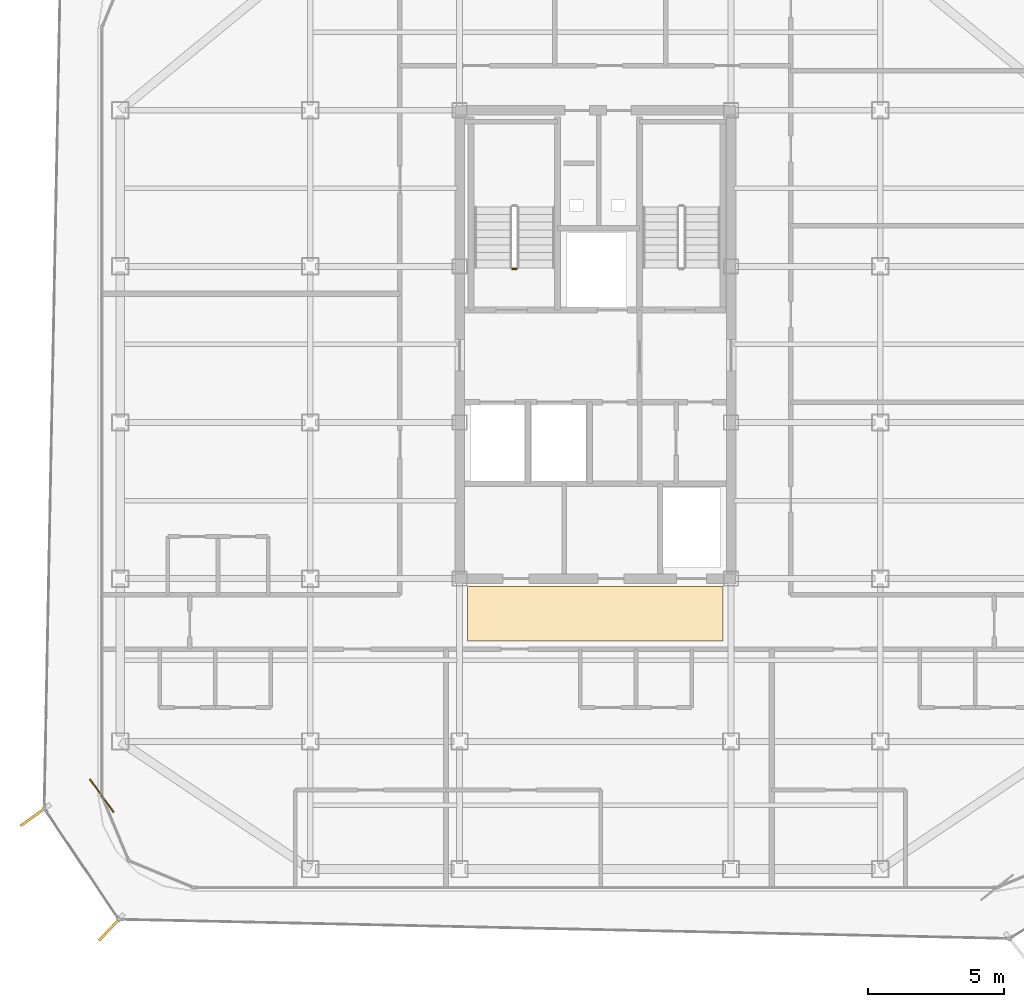
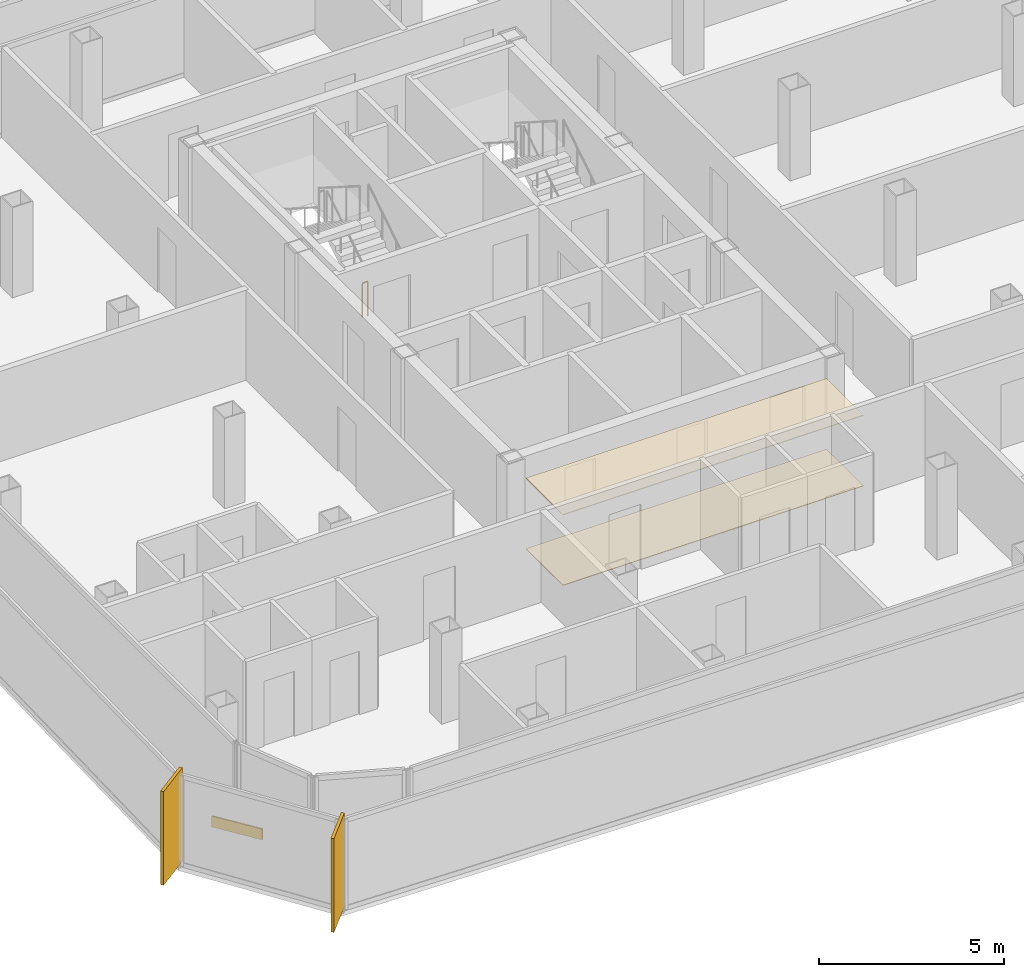
# One storey, part 13 of 15: 3 coverings, 2 shading devices, 1 railing.
"""IFC4 building model written with IfcOpenShell, lengths in metres."""

from ifc_helpers import new_model, si_unit, direction, frame, origin, origin_2d, place, context, subcontext, project, spatial, polyline, rectangle, circle, outline, extrude, source, transform, mapped, material, layer, layer_set, type_object, element, save


model = new_model("IFC4")

# Units and contexts
model_context = context("Model", 3, precision=1e-05, world=origin(), true_north=direction((0.0, 1.0)))
body_context = subcontext(model_context, "Body", "Model", "MODEL_VIEW")
ifc_project = project(units=[si_unit("LENGTHUNIT", "METRE"), si_unit("AREAUNIT", "SQUARE_METRE"), si_unit("VOLUMEUNIT", "CUBIC_METRE"), si_unit("PLANEANGLEUNIT", "RADIAN"), si_unit("MASSUNIT", "GRAM", prefix="KILO")], contexts=[model_context])

# Site, building, storey
site_placement = place(None, origin())
site = spatial("IfcSite", under=ifc_project, at=site_placement, CompositionType="ELEMENT")
building_placement = place(site_placement, origin())
building = spatial("IfcBuilding", under=site, at=building_placement, Name="Kolveth Station Tower", CompositionType="ELEMENT")
storey_placement = place(building_placement, frame((0.0, 0.0, 223.300048828125)))
storey = spatial("IfcBuildingStorey", under=building, at=storey_placement, Name="L63", CompositionType="ELEMENT", Elevation=223.300048828125)

# Coverings
ifc_material_1 = material(Name="Acoustic mineral-fibre ceiling tile")
ifc_layer_1 = layer(ifc_material_1, 0.02490234375)
ifc_layer_set_1 = layer_set([ifc_layer_1], Name="Acoustic mineral-fibre ceiling tile")
covering_type_1 = type_object("IfcCoveringType", Name="Ceil_CL1", PredefinedType="CEILING", material=ifc_layer_set_1)
covering_1_placement = place(storey_placement, frame((0.0, 0.0, 2.329833984375)))
element("IfcCovering", 1, at=covering_1_placement, inside=storey, type_object=covering_type_1, Name="L63 Lift Lobby Suspended Ceiling", PredefinedType="CEILING", context=body_context, shape_type="SweptSolid", body=[
    extrude(outline(polyline([(18.800048828125, 9.199951171875), (28.199951171875, 9.199951171875), (28.199951171875, 11.199951171875), (18.800048828125, 11.199951171875), (18.800048828125, 9.199951171875)])), origin(), (0.0, 0.0, 1.0), 0.025146484375),
])
ifc_material_2 = material(Name="Honed terrazzo flooring")
ifc_layer_2 = layer(ifc_material_2, 0.02001953125)
ifc_layer_set_2 = layer_set([ifc_layer_2], Name="Honed terrazzo flooring")
covering_type_2 = type_object("IfcCoveringType", Name="Floor_FL1", PredefinedType="FLOORING", material=ifc_layer_set_2)
covering_2_placement = place(storey_placement, origin())
element("IfcCovering", 2, at=covering_2_placement, inside=storey, type_object=covering_type_2, Name="L63 Lift Lobby Floor Finish", PredefinedType="FLOORING", context=body_context, shape_type="SweptSolid", body=[
    extrude(outline(polyline([(18.800048828125, 9.199951171875), (28.199951171875, 9.199951171875), (28.199951171875, 11.199951171875), (18.800048828125, 11.199951171875), (18.800048828125, 9.199951171875)])), origin(), (0.0, 0.0, 1.0), 0.02001953125),
])

# Railing
ifc_material_3 = material(Name="Painted Steel S355 balustrade", Category="steel")
railing_type = type_object("IfcRailingType", Name="Guard_GR2", PredefinedType="BALUSTRADE", material=ifc_material_3)
railing_placement = place(storey_placement, frame((20.60009765625, 22.89990234375, 0.0)))
element("IfcRailing", 3, at=railing_placement, inside=storey, type_object=railing_type, Name="L63 ST1 stair guard 4", PredefinedType="BALUSTRADE", context=body_context, shape_type="SweptSolid", body=[
    extrude(circle(Radius=0.02392578125, at=origin_2d()), frame((0.0, 0.0, 1.1259765625), z_axis=(-1.0, 0.0, 0.0), x_axis=(0.0, -1.0, 0.0)), (0.0, 0.0, 1.0), 0.16015625),
    extrude(circle(Radius=0.02099609375, at=origin_2d()), origin(), (0.0, 0.0, 1.0), 1.101806640625),
    extrude(circle(Radius=0.02099609375, at=origin_2d()), frame((-0.16015625, 0.0, 0.0)), (0.0, 0.0, 1.0), 1.101806640625),
])

# Shading devices
ifc_material_4 = material(Name="Black anodized aluminium 6063-T6", Category="aluminium")
shading_device_type = type_object("IfcShadingDeviceType", Name="FIN_VF1", PredefinedType="USERDEFINED", material=ifc_material_4)
shared_shape_1 = source(origin(), body_context, "Body", "SweptSolid", [
    extrude(rectangle(XDim=1.25, YDim=0.090087890625, at=origin_2d()), origin(), (0.0, 0.0, 1.0), 3.10009765625),
])
for number, where, z_axis, x_axis, name in (
    (4, (2.840087890625, 2.759033203125, 0.0), (0.0, 0.0, 1.0), (-0.811267958321, -0.584674524674, 0.0), "L63 Dark-Aluminium Solar Fin 7"),
    (5, (5.64208984375, -1.385986328125, 0.0), (0.0, 0.0, 1.0), (-0.684165325029, -0.729326955506, 0.0), "L63 Dark-Aluminium Solar Fin 8"),
):
    element("IfcShadingDevice", number, at=place(storey_placement, frame(where, z_axis=z_axis, x_axis=x_axis)), inside=storey, type_object=shading_device_type, Name=name, ObjectType="FIN", PredefinedType="USERDEFINED", context=body_context, shape_type="MappedRepresentation", body=[
        mapped(shared_shape_1, transform((0.0, 0.0, 0.0), x_axis=(1.0, 0.0, 0.0), y_axis=(0.0, 1.0, 0.0), z_axis=(0.0, 0.0, 1.0), scale=1.0)),
    ])

# Covering
ifc_material_5 = material(Name="Charcoal anodized aluminium spandrel cladding", Category="aluminium")
ifc_layer_3 = layer(ifc_material_5, 0.044921875)
ifc_layer_set_3 = layer_set([ifc_layer_3], Name="Charcoal anodized aluminium spandrel cladding")
covering_type_3 = type_object("IfcCoveringType", Name="Clad_CD1", PredefinedType="CLADDING", material=ifc_layer_set_3)
shared_shape_2 = source(origin(), body_context, "Body", "SweptSolid", [
    extrude(rectangle(XDim=1.5, YDim=0.044921875, at=origin_2d()), origin(), (0.0, 0.0, 1.0), 0.360107421875),
])
covering_3_placement = place(storey_placement, frame((5.320068359375, 3.5, 0.0), z_axis=(0.0, 0.0, 1.0), x_axis=(0.584674524674, -0.811267958321, 0.0)))
element("IfcCovering", 6, at=covering_3_placement, inside=storey, type_object=covering_type_3, Name="L63 Spandrel Edge Cladding 7", PredefinedType="CLADDING", context=body_context, shape_type="MappedRepresentation", body=[
    mapped(shared_shape_2, transform((0.0, 0.0, 0.0), x_axis=(1.0, 0.0, 0.0), y_axis=(0.0, 1.0, 0.0), z_axis=(0.0, 0.0, 1.0), scale=1.0)),
])

save(model, "model.ifc")
